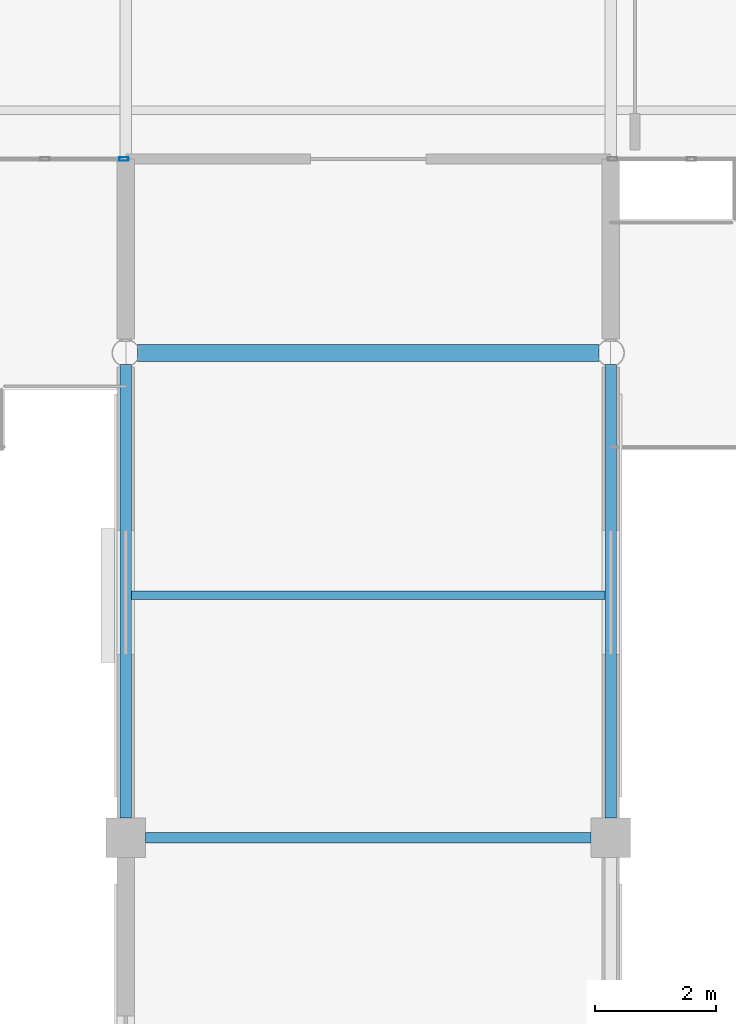
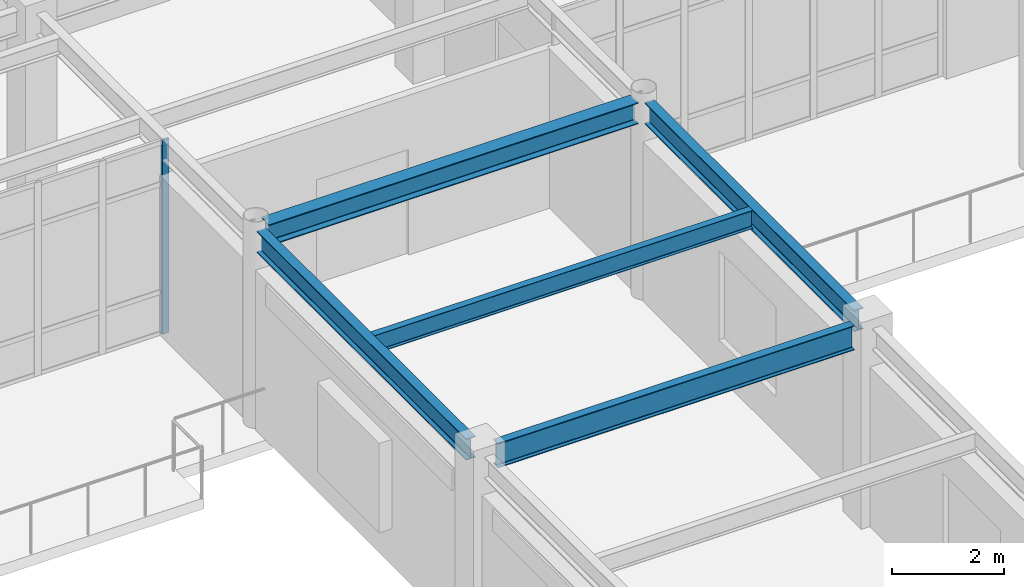
# One storey, part 41 of 75: 5 beams, 1 member, 1 element without a shape of its own.
"""IFC4 building model written with IfcOpenShell, lengths in metres."""

from ifc_helpers import new_model, si_unit, direction, frame, origin, origin_2d, place, context, subcontext, project, spatial, hollow_rectangle, i_section, extrude, material, material_profile, profile_set, type_object, element, aggregate, save


model = new_model("IFC4")

# Units and contexts
model_context = context("Model", 3, precision=1e-05, world=origin(), true_north=direction((0.0, 1.0)))
body_context = subcontext(model_context, "Body", "Model", "MODEL_VIEW")
ifc_project = project(units=[si_unit("LENGTHUNIT", "METRE"), si_unit("AREAUNIT", "SQUARE_METRE"), si_unit("VOLUMEUNIT", "CUBIC_METRE"), si_unit("PLANEANGLEUNIT", "RADIAN"), si_unit("MASSUNIT", "GRAM", prefix="KILO")], contexts=[model_context])

# Site, building, storey
site_placement = place(None, origin())
site = spatial("IfcSite", under=ifc_project, at=site_placement, CompositionType="ELEMENT")
building_placement = place(site_placement, origin())
building = spatial("IfcBuilding", under=site, at=building_placement, Name="Solmirada Galleria", CompositionType="ELEMENT")
storey_placement = place(building_placement, frame((0.0, 0.0, 19.39990234375)))
storey = spatial("IfcBuildingStorey", under=building, at=storey_placement, Name="L04", CompositionType="ELEMENT", Elevation=19.39990234375)

# Beams
ifc_material_1 = material(Name="Steel S355 / ASTM A992 Grade 50", Category="steel")
ifc_material_profile_1 = material_profile(ifc_material_1, i_section(OverallWidth=0.281982421875, OverallDepth=0.467041015625, WebThickness=0.01220703125, FlangeThickness=0.01953125, FilletRadius=0.013916015625, at=origin_2d()), Name="W18X86")
ifc_profile_set_1 = profile_set([ifc_material_profile_1], Name="Steel S355 / ASTM A992 Grade 50")
beam_type_1 = type_object("IfcBeamType", Name="BM-GIRD-W18A", PredefinedType="BEAM", material=ifc_profile_set_1)
beam_1_placement = place(storey_placement, frame((88.19189453125, 88.0, 4.066650390625), z_axis=(1.0, 0.0, 0.0), x_axis=(0.0, 1.0, 0.0)))
element("IfcBeam", 1, at=beam_1_placement, inside=storey, type_object=beam_type_1, Name="Primary beam L05 X(88..96, 88)", PredefinedType="BEAM", context=body_context, shape_type="SweptSolid", body=[
    extrude(i_section(OverallWidth=0.281982421875, OverallDepth=0.467041015625, WebThickness=0.01220703125, FlangeThickness=0.01953125, FilletRadius=0.013916015625, at=origin_2d()), origin(), (0.0, 0.0, 1.0), 7.6162109375),
])
ifc_material_profile_2 = material_profile(ifc_material_1, i_section(OverallWidth=0.193115234375, OverallDepth=0.466064453125, WebThickness=0.011474609375, FlangeThickness=0.01904296875, FilletRadius=0.013916015625, at=origin_2d()), Name="W18X65")
ifc_profile_set_2 = profile_set([ifc_material_profile_2], Name="Steel S355 / ASTM A992 Grade 50")
beam_type_2 = type_object("IfcBeamType", Name="BM-GIRD-W18C", PredefinedType="BEAM", material=ifc_profile_set_2)
for number, where, z_axis, x_axis, name in (
    (2, (88.0, 80.324951171875, 4.067138671875), (0.0, 1.0, 0.0), (-1.0, 0.0, 0.0), "Primary girder L05 Y(88, 80..88)"),
    (3, (96.0, 80.324951171875, 4.067138671875), (0.0, 1.0, 0.0), (-1.0, 0.0, 0.0), "Primary girder L05 Y(96, 80..88)"),
):
    element("IfcBeam", number, at=place(storey_placement, frame(where, z_axis=z_axis, x_axis=x_axis)), inside=storey, type_object=beam_type_2, Name=name, PredefinedType="BEAM", context=body_context, shape_type="SweptSolid", body=[
        extrude(i_section(OverallWidth=0.193115234375, OverallDepth=0.466064453125, WebThickness=0.011474609375, FlangeThickness=0.01904296875, FilletRadius=0.013916015625, at=origin_2d()), origin(), (0.0, 0.0, 1.0), 7.483154296875),
    ])
ifc_material_profile_3 = material_profile(ifc_material_1, i_section(OverallWidth=0.1669921875, OverallDepth=0.534912109375, WebThickness=0.01025390625, FlangeThickness=0.0166015625, FilletRadius=0.013916015625, at=origin_2d()), Name="W21X57")
ifc_profile_set_3 = profile_set([ifc_material_profile_3], Name="Steel S355 / ASTM A992 Grade 50")
beam_type_3 = type_object("IfcBeamType", Name="BM-GIRD-W21C", PredefinedType="BEAM", material=ifc_profile_set_3)
beam_2_placement = place(storey_placement, frame((88.324951171875, 80.0, 4.03271484375), z_axis=(1.0, 0.0, 0.0), x_axis=(0.0, 1.0, 0.0)))
element("IfcBeam", 4, at=beam_2_placement, inside=storey, type_object=beam_type_3, Name="Primary beam L05 X(88..96, 80)", PredefinedType="BEAM", context=body_context, shape_type="SweptSolid", body=[
    extrude(i_section(OverallWidth=0.1669921875, OverallDepth=0.534912109375, WebThickness=0.01025390625, FlangeThickness=0.0166015625, FilletRadius=0.013916015625, at=origin_2d()), origin(), (0.0, 0.0, 1.0), 7.35009765625),
])
ifc_material_profile_4 = material_profile(ifc_material_1, i_section(OverallWidth=0.139892578125, OverallDepth=0.39892578125, WebThickness=0.00634765625, FlangeThickness=0.0087890625, FilletRadius=0.010986328125, at=origin_2d()), Name="W16X26")
ifc_profile_set_4 = profile_set([ifc_material_profile_4], Name="Steel S355 / ASTM A992 Grade 50")
beam_type_4 = type_object("IfcBeamType", Name="BM-JST-W16C", PredefinedType="JOIST", material=ifc_profile_set_4)
beam_3_placement = place(storey_placement, frame((88.096435546875, 84.0, 4.1005859375), z_axis=(1.0, 0.0, 0.0), x_axis=(0.0, 1.0, 0.0)))
element("IfcBeam", 5, at=beam_3_placement, inside=storey, type_object=beam_type_4, Name="Composite floor joist L05 (88..96, 84.0)", PredefinedType="JOIST", context=body_context, shape_type="SweptSolid", body=[
    extrude(i_section(OverallWidth=0.139892578125, OverallDepth=0.39892578125, WebThickness=0.00634765625, FlangeThickness=0.0087890625, FilletRadius=0.010986328125, at=origin_2d()), origin(), (0.0, 0.0, 1.0), 7.80712890625),
])

# Curtain wall, member
ifc_material_2 = material(Name="Impact-resistant low-E double glazing", Category="glass")
curtain_wall_type = type_object("IfcCurtainWallType", Name="CW-FZ4-L04-B6-L080", PredefinedType="NOTDEFINED", material=ifc_material_2)
curtain_wall_placement = place(storey_placement, origin())
curtain_wall = element("IfcCurtainWall", 6, at=curtain_wall_placement, inside=storey, type_object=curtain_wall_type, Name="Terrace and arcade storefront CW-L04-146", PredefinedType="NOTDEFINED")
ifc_material_3 = material(Name="Anodised aluminium framing", Category="aluminium")
ifc_material_profile_5 = material_profile(ifc_material_3, hollow_rectangle(XDim=0.06005859375, YDim=0.14990234375, WallThickness=0.00341796875, InnerFilletRadius=0.00341796875, OuterFilletRadius=0.007080078125, at=origin_2d()), Name="ALU-MULL-150X60")
ifc_profile_set_5 = profile_set([ifc_material_profile_5], Name="Anodised aluminium framing")
member_type = type_object("IfcMemberType", Name="CW-MULL-150", PredefinedType="MULLION", material=ifc_profile_set_5)
member_placement = place(storey_placement, frame((87.969970703125, 91.199951171875, 0.0), z_axis=(0.0, 0.0, 1.0), x_axis=(0.0, -1.0, 0.0)))
member = element("IfcMember", 7, at=member_placement, type_object=member_type, Name="CW31 mullion 1", PredefinedType="MULLION", context=body_context, shape_type="SweptSolid", body=[
    extrude(hollow_rectangle(XDim=0.06005859375, YDim=0.14990234375, WallThickness=0.00341796875, InnerFilletRadius=0.00341796875, OuterFilletRadius=0.007080078125, at=origin_2d()), origin(), (0.0, 0.0, 1.0), 4.22021484375),
])
aggregate(curtain_wall, [member])

save(model, "model.ifc")
